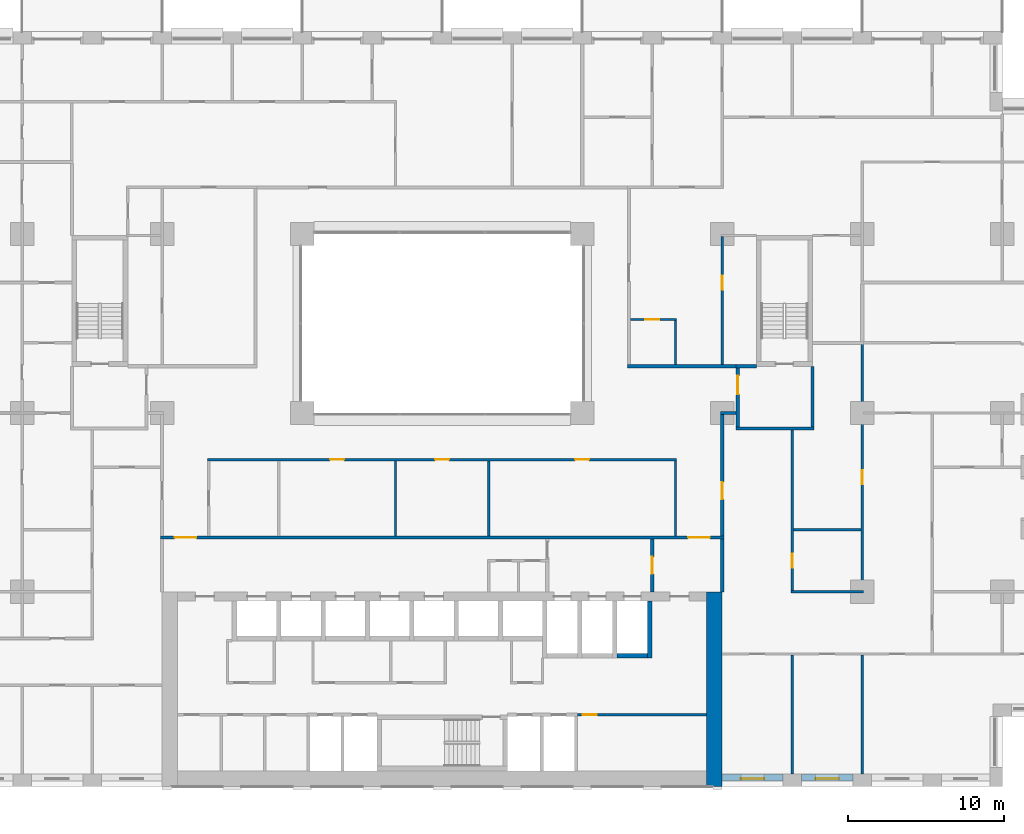
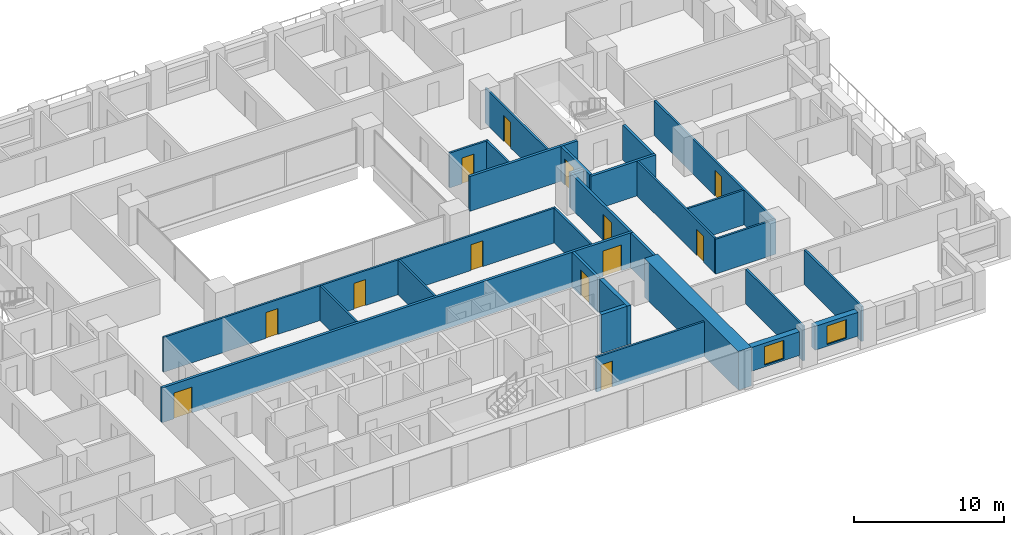
# One storey, part 12 of 20: 29 walls, 13 doors, 2 windows, 15 openings.
"""IFC4 building model written with IfcOpenShell, lengths in metres."""

from ifc_helpers import new_model, si_unit, direction, frame, frame_2d, origin, place, context, subcontext, project, spatial, rectangle, extrude, material, layer, layer_set, type_object, element, fill, save


model = new_model("IFC4")

# Units and contexts
model_context = context("Model", 3, precision=1e-05, world=origin(), true_north=direction((0.0, 1.0)))
body_context = subcontext(model_context, "Body", "Model", "MODEL_VIEW")
ifc_project = project(units=[si_unit("LENGTHUNIT", "METRE"), si_unit("AREAUNIT", "SQUARE_METRE"), si_unit("VOLUMEUNIT", "CUBIC_METRE"), si_unit("PLANEANGLEUNIT", "RADIAN"), si_unit("MASSUNIT", "GRAM", prefix="KILO")], contexts=[model_context])

# Site, building, storey
site_placement = place(None, origin())
site = spatial("IfcSite", under=ifc_project, at=site_placement, CompositionType="ELEMENT")
building_placement = place(site_placement, origin())
building = spatial("IfcBuilding", under=site, at=building_placement, Name="Brigalow Station Residences", CompositionType="ELEMENT")
storey_placement = place(building_placement, frame((0.0, 0.0, 54.14990234375)))
storey = spatial("IfcBuildingStorey", under=building, at=storey_placement, Name="L15", CompositionType="ELEMENT", Elevation=54.14990234375)

# Wall, opening, window
ifc_material_1 = material(Name="Clay brick masonry", Category="masonry")
ifc_layer_1 = layer(ifc_material_1, 0.449951171875)
ifc_layer_set_1 = layer_set([ifc_layer_1], Name="BRICK INFILL WALL 450")
wall_type_1 = type_object("IfcWallType", Name="BRICK INFILL WALL 450", PredefinedType="SOLIDWALL", material=ifc_layer_set_1)
wall_1_placement = place(storey_placement, frame((54.0, 0.574951171875, 0.900146484375), z_axis=(0.0, 0.0, 1.0), x_axis=(1.0, 0.0, 0.0)))
wall_1 = element("IfcWall", 1, at=wall_1_placement, inside=storey, type_object=wall_type_1, Name="L15/ewall/W-L15-5", PredefinedType="SOLIDWALL", context=body_context, shape_type="SweptSolid", body=[
    extrude(rectangle(XDim=3.89990234375, YDim=0.449951171875, at=frame_2d((1.949951171875, 0.0))), origin(), (0.0, 0.0, 1.0), 1.929931640625),
])
opening_1_placement = place(wall_1_placement, frame((1.199951171875, 0.0, 0.14990234375)))
opening_1 = element("IfcOpeningElement", 2, at=opening_1_placement, cuts=wall_1, Name="Opening WT-1", PredefinedType="OPENING", context=body_context, shape_type="SweptSolid", body=[
    extrude(rectangle(XDim=1.5, YDim=1.5, at=frame_2d((0.75, 0.75))), frame((0.0, 0.23486328125, 0.0), z_axis=(0.0, -1.0, 0.0), x_axis=(1.0, 0.0, 0.0)), (0.0, 0.0, 1.0), 0.469970703125),
])
ifc_material_2 = material(Name="Anodised aluminium frame with double glazing", Category="aluminium")
window_type = type_object("IfcWindowType", Name="WINDOW 1500x1500", PartitioningType="SINGLE_PANEL", PredefinedType="WINDOW", material=ifc_material_2)
window_1_placement = place(opening_1_placement, origin())
window_1 = element("IfcWindow", 3, at=window_1_placement, inside=storey, type_object=window_type, Name="L15/window/W-L15-5", OverallHeight=1.5, OverallWidth=1.5, PartitioningType="SINGLE_PANEL", PredefinedType="WINDOW", context=body_context, shape_type="SweptSolid", body=[
    extrude(rectangle(XDim=1.5, YDim=1.5, at=frame_2d((0.75, 0.75))), frame((0.0, -0.06494140625, 0.0), z_axis=(0.0, -1.0, 0.0), x_axis=(1.0, 0.0, 0.0)), (0.0, 0.0, 1.0), 0.06005859375),
])
fill(opening_1, window_1)

wall_2_placement = place(storey_placement, frame((59.10009765625, 0.574951171875, 0.900146484375), z_axis=(0.0, 0.0, 1.0), x_axis=(1.0, 0.0, 0.0)))
wall_2 = element("IfcWall", 4, at=wall_2_placement, inside=storey, type_object=wall_type_1, Name="L15/ewall/W-L15-6", PredefinedType="SOLIDWALL", context=body_context, shape_type="SweptSolid", body=[
    extrude(rectangle(XDim=3.2998046875, YDim=0.449951171875, at=frame_2d((1.64990234375, 0.0))), origin(), (0.0, 0.0, 1.0), 1.929931640625),
])
opening_2_placement = place(wall_2_placement, frame((0.89990234375, 0.0, 0.14990234375)))
opening_2 = element("IfcOpeningElement", 5, at=opening_2_placement, cuts=wall_2, Name="Opening WT-1", PredefinedType="OPENING", context=body_context, shape_type="SweptSolid", body=[
    extrude(rectangle(XDim=1.5, YDim=1.5, at=frame_2d((0.75, 0.75))), frame((0.0, 0.23486328125, 0.0), z_axis=(0.0, -1.0, 0.0), x_axis=(1.0, 0.0, 0.0)), (0.0, 0.0, 1.0), 0.469970703125),
])
window_2_placement = place(opening_2_placement, origin())
window_2 = element("IfcWindow", 6, at=window_2_placement, inside=storey, type_object=window_type, Name="L15/window/W-L15-6", OverallHeight=1.5, OverallWidth=1.5, PartitioningType="SINGLE_PANEL", PredefinedType="WINDOW", context=body_context, shape_type="SweptSolid", body=[
    extrude(rectangle(XDim=1.5, YDim=1.5, at=frame_2d((0.75, 0.75))), frame((0.0, -0.06494140625, 0.0), z_axis=(0.0, -1.0, 0.0), x_axis=(1.0, 0.0, 0.0)), (0.0, 0.0, 1.0), 0.06005859375),
])
fill(opening_2, window_2)

# Walls
ifc_material_3 = material(Name="Concrete C80", Category="concrete")
ifc_layer_2 = layer(ifc_material_3, 1.0)
ifc_layer_set_2 = layer_set([ifc_layer_2], Name="CORE SHEAR WALL 1000 C80")
wall_type_2 = type_object("IfcWallType", Name="CORE SHEAR WALL 1000 C80", PredefinedType="SHEAR", material=ifc_layer_set_2)
wall_3_placement = place(storey_placement, frame((53.5, 0.0, 0.0), z_axis=(0.0, 0.0, 1.0), x_axis=(0.0, 1.0, 0.0)))
element("IfcWall", 7, at=wall_3_placement, inside=storey, type_object=wall_type_2, Name="CORE WALL OUT-E L15", PredefinedType="SHEAR", context=body_context, shape_type="SweptSolid", body=[
    extrude(rectangle(XDim=12.5, YDim=1.0, at=frame_2d((6.25, 0.0))), origin(), (0.0, 0.0, 1.0), 3.150146484375),
])
ifc_material_4 = material(Name="Concrete C80", Category="concrete")
ifc_layer_3 = layer(ifc_material_4, 0.300048828125)
ifc_layer_set_3 = layer_set([ifc_layer_3], Name="CORE SHEAR WALL 300 C80")
wall_type_3 = type_object("IfcWallType", Name="CORE SHEAR WALL 300 C80", PredefinedType="SHEAR", material=ifc_layer_set_3)
wall_4_placement = place(storey_placement, frame((47.25, 8.39990234375, 0.0), z_axis=(0.0, 0.0, 1.0), x_axis=(1.0, 0.0, 0.0)))
element("IfcWall", 8, at=wall_4_placement, inside=storey, type_object=wall_type_3, Name="CORE WALL SH-SL1-S L15", PredefinedType="SHEAR", context=body_context, shape_type="SweptSolid", body=[
    extrude(rectangle(XDim=1.949951171875, YDim=0.300048828125, at=frame_2d((0.97509765625, 0.0))), origin(), (0.0, 0.0, 1.0), 3.150146484375),
])
wall_5_placement = place(storey_placement, frame((49.35009765625, 8.25, 0.0), z_axis=(0.0, 0.0, 1.0), x_axis=(0.0, 1.0, 0.0)))
element("IfcWall", 9, at=wall_5_placement, inside=storey, type_object=wall_type_3, Name="CORE WALL SH-SL1-E L15", PredefinedType="SHEAR", context=body_context, shape_type="SweptSolid", body=[
    extrude(rectangle(XDim=3.64990234375, YDim=0.300048828125, at=frame_2d((1.824951171875, 0.0))), origin(), (0.0, 0.0, 1.0), 3.150146484375),
])
ifc_material_5 = material(Name="Concrete blockwork", Category="masonry")
ifc_layer_4 = layer(ifc_material_5, 0.199951171875)
ifc_layer_set_4 = layer_set([ifc_layer_4], Name="FIRE RATED CORE PARTITION 200")
wall_type_4 = type_object("IfcWallType", Name="FIRE RATED CORE PARTITION 200", PredefinedType="PARTITIONING", material=ifc_layer_set_4)
wall_6_placement = place(storey_placement, frame((54.89990234375, 23.0, 0.0), z_axis=(0.0, 0.0, 1.0), x_axis=(1.0, 0.0, 0.0)))
element("IfcWall", 10, at=wall_6_placement, inside=storey, type_object=wall_type_4, Name="PW-5024", PredefinedType="PARTITIONING", context=body_context, shape_type="SweptSolid", body=[
    extrude(rectangle(XDim=5.0, YDim=0.199951171875, at=frame_2d((2.5, 0.0))), origin(), (0.0, 0.0, 1.0), 2.830078125),
])
wall_7_placement = place(storey_placement, frame((54.89990234375, 27.0, 0.0), z_axis=(0.0, 0.0, 1.0), x_axis=(1.0, 0.0, 0.0)))
element("IfcWall", 11, at=wall_7_placement, inside=storey, type_object=wall_type_4, Name="PW-5026", PredefinedType="PARTITIONING", context=body_context, shape_type="SweptSolid", body=[
    extrude(rectangle(XDim=1.300048828125, YDim=0.199951171875, at=frame_2d((0.64990234375, 0.0))), origin(), (0.0, 0.0, 1.0), 2.830078125),
])

# Wall, opening, door
wall_8_placement = place(storey_placement, frame((49.5, 12.5, 0.0), z_axis=(0.0, 0.0, 1.0), x_axis=(0.0, 1.0, 0.0)))
wall_8 = element("IfcWall", 12, at=wall_8_placement, inside=storey, type_object=wall_type_4, Name="PW-5015", PredefinedType="PARTITIONING", context=body_context, shape_type="SweptSolid", body=[
    extrude(rectangle(XDim=3.39990234375, YDim=0.199951171875, at=frame_2d((1.699951171875, 0.0))), origin(), (0.0, 0.0, 1.0), 2.830078125),
])
opening_3_placement = place(wall_8_placement, frame((1.14990234375, 0.0, 0.0)))
opening_3 = element("IfcOpeningElement", 13, at=opening_3_placement, cuts=wall_8, Name="Opening D-5014", PredefinedType="OPENING", context=body_context, shape_type="SweptSolid", body=[
    extrude(rectangle(XDim=1.10009765625, YDim=2.10009765625, at=frame_2d((0.550048828125, 1.050048828125))), frame((0.0, 0.10986328125, 0.0), z_axis=(0.0, -1.0, 0.0), x_axis=(1.0, 0.0, 0.0)), (0.0, 0.0, 1.0), 0.219970703125),
])
ifc_material_6 = material(Name="Steel fire door leaf in steel frame", Category="steel")
door_type_1 = type_object("IfcDoorType", Name="LOBBY DOOR 1100 x 2100 FD60S", OperationType="SINGLE_SWING_LEFT", PredefinedType="DOOR", material=ifc_material_6)
door_1_placement = place(opening_3_placement, origin())
door_1 = element("IfcDoor", 14, at=door_1_placement, inside=storey, type_object=door_type_1, Name="D-5014", OperationType="SINGLE_SWING_RIGHT", OverallHeight=2.10009765625, OverallWidth=1.10009765625, PredefinedType="DOOR", context=body_context, shape_type="SweptSolid", body=[
    extrude(rectangle(XDim=1.10009765625, YDim=2.10009765625, at=frame_2d((0.550048828125, 1.050048828125))), frame((0.0, 0.02490234375, 0.0), z_axis=(0.0, -1.0, 0.0), x_axis=(1.0, 0.0, 0.0)), (0.0, 0.0, 1.0), 0.050048828125),
])
fill(opening_3, door_1)

# Wall
wall_9_placement = place(storey_placement, frame((54.0, 12.5, 0.0), z_axis=(0.0, 0.0, 1.0), x_axis=(0.0, 1.0, 0.0)))
element("IfcWall", 15, at=wall_9_placement, inside=storey, type_object=wall_type_4, Name="PW-5016", PredefinedType="PARTITIONING", context=body_context, shape_type="SweptSolid", body=[
    extrude(rectangle(XDim=3.39990234375, YDim=0.199951171875, at=frame_2d((1.699951171875, 0.0))), origin(), (0.0, 0.0, 1.0), 2.830078125),
])

# Wall, opening, door
wall_10_placement = place(storey_placement, frame((55.0, 23.10009765625, 0.0), z_axis=(0.0, 0.0, 1.0), x_axis=(0.0, 1.0, 0.0)))
wall_10 = element("IfcWall", 16, at=wall_10_placement, inside=storey, type_object=wall_type_4, Name="PW-5036", PredefinedType="PARTITIONING", context=body_context, shape_type="SweptSolid", body=[
    extrude(rectangle(XDim=3.7998046875, YDim=0.199951171875, at=frame_2d((1.89990234375, 0.0))), origin(), (0.0, 0.0, 1.0), 2.830078125),
])
opening_4_placement = place(wall_10_placement, frame((2.10009765625, 0.0, 0.0)))
opening_4 = element("IfcOpeningElement", 17, at=opening_4_placement, cuts=wall_10, Name="Opening D-5019", PredefinedType="OPENING", context=body_context, shape_type="SweptSolid", body=[
    extrude(rectangle(XDim=1.199951171875, YDim=2.10009765625, at=frame_2d((0.60009765625, 1.050048828125))), frame((0.0, 0.10986328125, 0.0), z_axis=(0.0, -1.0, 0.0), x_axis=(1.0, 0.0, 0.0)), (0.0, 0.0, 1.0), 0.219970703125),
])
ifc_material_7 = material(Name="Steel fire door leaf in steel frame", Category="steel")
door_type_2 = type_object("IfcDoorType", Name="STAIR LOBBY DOOR 1200 x 2100 FD60S", OperationType="SINGLE_SWING_LEFT", PredefinedType="DOOR", material=ifc_material_7)
door_2_placement = place(opening_4_placement, frame((1.199951171875, 0.0, 0.0), z_axis=(0.0, 0.0, 1.0), x_axis=(-1.0, 0.0, 0.0)))
door_2 = element("IfcDoor", 18, at=door_2_placement, inside=storey, type_object=door_type_2, Name="D-5019", OperationType="SINGLE_SWING_LEFT", OverallHeight=2.10009765625, OverallWidth=1.199951171875, PredefinedType="DOOR", context=body_context, shape_type="SweptSolid", body=[
    extrude(rectangle(XDim=1.199951171875, YDim=2.10009765625, at=frame_2d((0.60009765625, 1.050048828125))), frame((0.0, 0.02490234375, 0.0), z_axis=(0.0, -1.0, 0.0), x_axis=(1.0, 0.0, 0.0)), (0.0, 0.0, 1.0), 0.050048828125),
])
fill(opening_4, door_2)

# Wall
wall_11_placement = place(storey_placement, frame((59.800048828125, 23.10009765625, 0.0), z_axis=(0.0, 0.0, 1.0), x_axis=(0.0, 1.0, 0.0)))
element("IfcWall", 19, at=wall_11_placement, inside=storey, type_object=wall_type_4, Name="PW-5037", PredefinedType="PARTITIONING", context=body_context, shape_type="SweptSolid", body=[
    extrude(rectangle(XDim=3.89990234375, YDim=0.199951171875, at=frame_2d((1.949951171875, 0.0))), origin(), (0.0, 0.0, 1.0), 2.830078125),
])

# Wall, openings, doors
ifc_material_8 = material(Name="Plasterboard on steel stud partition", Category="steel")
ifc_layer_5 = layer(ifc_material_8, 0.14990234375)
ifc_layer_set_5 = layer_set([ifc_layer_5], Name="FLAT PARTITION 150")
wall_type_5 = type_object("IfcWallType", Name="FLAT PARTITION 150", PredefinedType="PARTITIONING", material=ifc_layer_set_5)
wall_12_placement = place(storey_placement, frame((20.925048828125, 21.0, 0.0), z_axis=(0.0, 0.0, 1.0), x_axis=(1.0, 0.0, 0.0)))
wall_12 = element("IfcWall", 20, at=wall_12_placement, inside=storey, type_object=wall_type_5, Name="PW-1E01", PredefinedType="PARTITIONING", context=body_context, shape_type="SweptSolid", body=[
    extrude(rectangle(XDim=30.14990234375, YDim=0.14990234375, at=frame_2d((15.074951171875, 0.0))), origin(), (0.0, 0.0, 1.0), 2.830078125),
])
opening_5_placement = place(wall_12_placement, frame((7.875, 0.0, 0.0)))
opening_5 = element("IfcOpeningElement", 21, at=opening_5_placement, cuts=wall_12, Name="Opening D-1E65", PredefinedType="OPENING", context=body_context, shape_type="SweptSolid", body=[
    extrude(rectangle(XDim=0.89990234375, YDim=2.10009765625, at=frame_2d((0.449951171875, 1.050048828125))), frame((0.0, 0.0849609375, 0.0), z_axis=(0.0, -1.0, 0.0), x_axis=(1.0, 0.0, 0.0)), (0.0, 0.0, 1.0), 0.169921875),
])
opening_6_placement = place(wall_12_placement, frame((14.625, 0.0, 0.0)))
opening_6 = element("IfcOpeningElement", 22, at=opening_6_placement, cuts=wall_12, Name="Opening D-1E66", PredefinedType="OPENING", context=body_context, shape_type="SweptSolid", body=[
    extrude(rectangle(XDim=0.89990234375, YDim=2.10009765625, at=frame_2d((0.449951171875, 1.050048828125))), frame((0.0, 0.0849609375, 0.0), z_axis=(0.0, -1.0, 0.0), x_axis=(1.0, 0.0, 0.0)), (0.0, 0.0, 1.0), 0.169921875),
])
opening_7_placement = place(wall_12_placement, frame((23.625, 0.0, 0.0)))
opening_7 = element("IfcOpeningElement", 23, at=opening_7_placement, cuts=wall_12, Name="Opening D-1E67", PredefinedType="OPENING", context=body_context, shape_type="SweptSolid", body=[
    extrude(rectangle(XDim=0.89990234375, YDim=2.10009765625, at=frame_2d((0.449951171875, 1.050048828125))), frame((0.0, 0.0849609375, 0.0), z_axis=(0.0, -1.0, 0.0), x_axis=(1.0, 0.0, 0.0)), (0.0, 0.0, 1.0), 0.169921875),
])
ifc_material_9 = material(Name="Solid-core timber door leaf", Category="wood")
door_type_3 = type_object("IfcDoorType", Name="INTERNAL DOOR 900 x 2100", OperationType="SINGLE_SWING_LEFT", PredefinedType="DOOR", material=ifc_material_9)
door_3_placement = place(opening_5_placement, frame((0.89990234375, 0.0, 0.0), z_axis=(0.0, 0.0, 1.0), x_axis=(-1.0, 0.0, 0.0)))
door_3 = element("IfcDoor", 24, at=door_3_placement, inside=storey, type_object=door_type_3, Name="D-1E65", OperationType="SINGLE_SWING_RIGHT", OverallHeight=2.10009765625, OverallWidth=0.89990234375, PredefinedType="DOOR", context=body_context, shape_type="SweptSolid", body=[
    extrude(rectangle(XDim=0.89990234375, YDim=2.10009765625, at=frame_2d((0.449951171875, 1.050048828125))), frame((0.0, 0.02490234375, 0.0), z_axis=(0.0, -1.0, 0.0), x_axis=(1.0, 0.0, 0.0)), (0.0, 0.0, 1.0), 0.050048828125),
])
fill(opening_5, door_3)
door_4_placement = place(opening_6_placement, frame((0.89990234375, 0.0, 0.0), z_axis=(0.0, 0.0, 1.0), x_axis=(-1.0, 0.0, 0.0)))
door_4 = element("IfcDoor", 25, at=door_4_placement, inside=storey, type_object=door_type_3, Name="D-1E66", OperationType="SINGLE_SWING_LEFT", OverallHeight=2.10009765625, OverallWidth=0.89990234375, PredefinedType="DOOR", context=body_context, shape_type="SweptSolid", body=[
    extrude(rectangle(XDim=0.89990234375, YDim=2.10009765625, at=frame_2d((0.449951171875, 1.050048828125))), frame((0.0, 0.02490234375, 0.0), z_axis=(0.0, -1.0, 0.0), x_axis=(1.0, 0.0, 0.0)), (0.0, 0.0, 1.0), 0.050048828125),
])
fill(opening_6, door_4)
door_5_placement = place(opening_7_placement, frame((0.89990234375, 0.0, 0.0), z_axis=(0.0, 0.0, 1.0), x_axis=(-1.0, 0.0, 0.0)))
door_5 = element("IfcDoor", 26, at=door_5_placement, inside=storey, type_object=door_type_3, Name="D-1E67", OperationType="SINGLE_SWING_LEFT", OverallHeight=2.10009765625, OverallWidth=0.89990234375, PredefinedType="DOOR", context=body_context, shape_type="SweptSolid", body=[
    extrude(rectangle(XDim=0.89990234375, YDim=2.10009765625, at=frame_2d((0.449951171875, 1.050048828125))), frame((0.0, 0.02490234375, 0.0), z_axis=(0.0, -1.0, 0.0), x_axis=(1.0, 0.0, 0.0)), (0.0, 0.0, 1.0), 0.050048828125),
])
fill(opening_7, door_5)

# Walls
wall_13_placement = place(storey_placement, frame((58.425048828125, 12.5, 0.0), z_axis=(0.0, 0.0, 1.0), x_axis=(1.0, 0.0, 0.0)))
element("IfcWall", 27, at=wall_13_placement, inside=storey, type_object=wall_type_5, Name="PW-1E13", PredefinedType="PARTITIONING", context=body_context, shape_type="SweptSolid", body=[
    extrude(rectangle(XDim=4.64990234375, YDim=0.14990234375, at=frame_2d((2.324951171875, 0.0))), origin(), (0.0, 0.0, 1.0), 2.830078125),
])
wall_14_placement = place(storey_placement, frame((58.574951171875, 16.5, 0.0), z_axis=(0.0, 0.0, 1.0), x_axis=(1.0, 0.0, 0.0)))
element("IfcWall", 28, at=wall_14_placement, inside=storey, type_object=wall_type_5, Name="PW-1E19", PredefinedType="PARTITIONING", context=body_context, shape_type="SweptSolid", body=[
    extrude(rectangle(XDim=4.35009765625, YDim=0.14990234375, at=frame_2d((2.175048828125, 0.0))), origin(), (0.0, 0.0, 1.0), 2.830078125),
])

# Wall, opening, door
wall_15_placement = place(storey_placement, frame((48.10009765625, 30.0, 0.0), z_axis=(0.0, 0.0, 1.0), x_axis=(1.0, 0.0, 0.0)))
wall_15 = element("IfcWall", 29, at=wall_15_placement, inside=storey, type_object=wall_type_5, Name="PW-1E32", PredefinedType="PARTITIONING", context=body_context, shape_type="SweptSolid", body=[
    extrude(rectangle(XDim=2.974853515625, YDim=0.14990234375, at=frame_2d((1.4873046875, 0.0))), origin(), (0.0, 0.0, 1.0), 2.830078125),
])
opening_8_placement = place(wall_15_placement, frame((0.949951171875, 0.0, 0.0)))
opening_8 = element("IfcOpeningElement", 30, at=opening_8_placement, cuts=wall_15, Name="Opening D-1E43", PredefinedType="OPENING", context=body_context, shape_type="SweptSolid", body=[
    extrude(rectangle(XDim=0.89990234375, YDim=2.10009765625, at=frame_2d((0.449951171875, 1.050048828125))), frame((0.0, 0.0849609375, 0.0), z_axis=(0.0, -1.0, 0.0), x_axis=(1.0, 0.0, 0.0)), (0.0, 0.0, 1.0), 0.169921875),
])
door_6_placement = place(opening_8_placement, frame((0.89990234375, 0.0, 0.0), z_axis=(0.0, 0.0, 1.0), x_axis=(-1.0, 0.0, 0.0)))
door_6 = element("IfcDoor", 31, at=door_6_placement, inside=storey, type_object=door_type_3, Name="D-1E43", OperationType="SINGLE_SWING_RIGHT", OverallHeight=2.10009765625, OverallWidth=0.89990234375, PredefinedType="DOOR", context=body_context, shape_type="SweptSolid", body=[
    extrude(rectangle(XDim=0.89990234375, YDim=2.10009765625, at=frame_2d((0.449951171875, 1.050048828125))), frame((0.0, 0.02490234375, 0.0), z_axis=(0.0, -1.0, 0.0), x_axis=(1.0, 0.0, 0.0)), (0.0, 0.0, 1.0), 0.050048828125),
])
fill(opening_8, door_6)

wall_16_placement = place(storey_placement, frame((54.0, 27.10009765625, 0.0), z_axis=(0.0, 0.0, 1.0), x_axis=(0.0, 1.0, 0.0)))
wall_16 = element("IfcWall", 32, at=wall_16_placement, inside=storey, type_object=wall_type_5, Name="PW-1E40", PredefinedType="PARTITIONING", context=body_context, shape_type="SweptSolid", body=[
    extrude(rectangle(XDim=8.224853515625, YDim=0.14990234375, at=frame_2d((4.1123046875, 0.0))), origin(), (0.0, 0.0, 1.0), 2.830078125),
])
opening_9_placement = place(wall_16_placement, frame((4.824951171875, 0.0, 0.0)))
opening_9 = element("IfcOpeningElement", 33, at=opening_9_placement, cuts=wall_16, Name="Opening D-1E46", PredefinedType="OPENING", context=body_context, shape_type="SweptSolid", body=[
    extrude(rectangle(XDim=0.89990234375, YDim=2.10009765625, at=frame_2d((0.449951171875, 1.050048828125))), frame((0.0, 0.0849609375, 0.0), z_axis=(0.0, -1.0, 0.0), x_axis=(1.0, 0.0, 0.0)), (0.0, 0.0, 1.0), 0.169921875),
])
door_7_placement = place(opening_9_placement, frame((0.89990234375, 0.0, 0.0), z_axis=(0.0, 0.0, 1.0), x_axis=(-1.0, 0.0, 0.0)))
door_7 = element("IfcDoor", 34, at=door_7_placement, inside=storey, type_object=door_type_3, Name="D-1E46", OperationType="SINGLE_SWING_LEFT", OverallHeight=2.10009765625, OverallWidth=0.89990234375, PredefinedType="DOOR", context=body_context, shape_type="SweptSolid", body=[
    extrude(rectangle(XDim=0.89990234375, YDim=2.10009765625, at=frame_2d((0.449951171875, 1.050048828125))), frame((0.0, 0.02490234375, 0.0), z_axis=(0.0, -1.0, 0.0), x_axis=(1.0, 0.0, 0.0)), (0.0, 0.0, 1.0), 0.050048828125),
])
fill(opening_9, door_7)

# Walls
wall_17_placement = place(storey_placement, frame((51.0, 16.10009765625, 0.0), z_axis=(0.0, 0.0, 1.0), x_axis=(0.0, 1.0, 0.0)))
element("IfcWall", 35, at=wall_17_placement, inside=storey, type_object=wall_type_5, Name="PW-1E44", PredefinedType="PARTITIONING", context=body_context, shape_type="SweptSolid", body=[
    extrude(rectangle(XDim=4.824951171875, YDim=0.14990234375, at=frame_2d((2.41259765625, 0.0))), origin(), (0.0, 0.0, 1.0), 2.830078125),
])
wall_18_placement = place(storey_placement, frame((51.0, 27.10009765625, 0.0), z_axis=(0.0, 0.0, 1.0), x_axis=(0.0, 1.0, 0.0)))
element("IfcWall", 36, at=wall_18_placement, inside=storey, type_object=wall_type_5, Name="PW-1E45", PredefinedType="PARTITIONING", context=body_context, shape_type="SweptSolid", body=[
    extrude(rectangle(XDim=2.824951171875, YDim=0.14990234375, at=frame_2d((1.41259765625, 0.0))), origin(), (0.0, 0.0, 1.0), 2.830078125),
])
wall_19_placement = place(storey_placement, frame((33.0, 16.10009765625, 0.0), z_axis=(0.0, 0.0, 1.0), x_axis=(0.0, 1.0, 0.0)))
element("IfcWall", 37, at=wall_19_placement, inside=storey, type_object=wall_type_5, Name="PW-1E60", PredefinedType="PARTITIONING", context=body_context, shape_type="SweptSolid", body=[
    extrude(rectangle(XDim=4.824951171875, YDim=0.14990234375, at=frame_2d((2.41259765625, 0.0))), origin(), (0.0, 0.0, 1.0), 2.830078125),
])
wall_20_placement = place(storey_placement, frame((63.0, 0.800048828125, 0.0), z_axis=(0.0, 0.0, 1.0), x_axis=(0.0, 1.0, 0.0)))
element("IfcWall", 38, at=wall_20_placement, inside=storey, type_object=wall_type_5, Name="PW-1E68", PredefinedType="PARTITIONING", context=body_context, shape_type="SweptSolid", body=[
    extrude(rectangle(XDim=7.625, YDim=0.14990234375, at=frame_2d((3.8125, 0.0))), origin(), (0.0, 0.0, 1.0), 2.830078125),
])

# Wall, opening, door
wall_21_placement = place(storey_placement, frame((63.0, 12.574951171875, 0.0), z_axis=(0.0, 0.0, 1.0), x_axis=(0.0, 1.0, 0.0)))
wall_21 = element("IfcWall", 39, at=wall_21_placement, inside=storey, type_object=wall_type_5, Name="PW-1E69", PredefinedType="PARTITIONING", context=body_context, shape_type="SweptSolid", body=[
    extrude(rectangle(XDim=15.85009765625, YDim=0.14990234375, at=frame_2d((7.925048828125, 0.0))), origin(), (0.0, 0.0, 1.0), 2.830078125),
])
opening_10_placement = place(wall_21_placement, frame((6.85009765625, 0.0, 0.0)))
opening_10 = element("IfcOpeningElement", 40, at=opening_10_placement, cuts=wall_21, Name="Opening D-1E61", PredefinedType="OPENING", context=body_context, shape_type="SweptSolid", body=[
    extrude(rectangle(XDim=0.89990234375, YDim=2.10009765625, at=frame_2d((0.449951171875, 1.050048828125))), frame((0.0, 0.0849609375, 0.0), z_axis=(0.0, -1.0, 0.0), x_axis=(1.0, 0.0, 0.0)), (0.0, 0.0, 1.0), 0.169921875),
])
door_8_placement = place(opening_10_placement, origin())
door_8 = element("IfcDoor", 41, at=door_8_placement, inside=storey, type_object=door_type_3, Name="D-1E61", OperationType="SINGLE_SWING_LEFT", OverallHeight=2.10009765625, OverallWidth=0.89990234375, PredefinedType="DOOR", context=body_context, shape_type="SweptSolid", body=[
    extrude(rectangle(XDim=0.89990234375, YDim=2.10009765625, at=frame_2d((0.449951171875, 1.050048828125))), frame((0.0, 0.02490234375, 0.0), z_axis=(0.0, -1.0, 0.0), x_axis=(1.0, 0.0, 0.0)), (0.0, 0.0, 1.0), 0.050048828125),
])
fill(opening_10, door_8)

# Wall
wall_22_placement = place(storey_placement, frame((58.5, 0.800048828125, 0.0), z_axis=(0.0, 0.0, 1.0), x_axis=(0.0, 1.0, 0.0)))
element("IfcWall", 42, at=wall_22_placement, inside=storey, type_object=wall_type_5, Name="PW-1E77", PredefinedType="PARTITIONING", context=body_context, shape_type="SweptSolid", body=[
    extrude(rectangle(XDim=7.625, YDim=0.14990234375, at=frame_2d((3.8125, 0.0))), origin(), (0.0, 0.0, 1.0), 2.830078125),
])

# Wall, opening, door
wall_23_placement = place(storey_placement, frame((58.5, 12.574951171875, 0.0), z_axis=(0.0, 0.0, 1.0), x_axis=(0.0, 1.0, 0.0)))
wall_23 = element("IfcWall", 43, at=wall_23_placement, inside=storey, type_object=wall_type_5, Name="PW-1E78", PredefinedType="PARTITIONING", context=body_context, shape_type="SweptSolid", body=[
    extrude(rectangle(XDim=10.324951171875, YDim=0.14990234375, at=frame_2d((5.16259765625, 0.0))), origin(), (0.0, 0.0, 1.0), 2.830078125),
])
opening_11_placement = place(wall_23_placement, frame((1.47509765625, 0.0, 0.0)))
opening_11 = element("IfcOpeningElement", 44, at=opening_11_placement, cuts=wall_23, Name="Opening D-1E51", PredefinedType="OPENING", context=body_context, shape_type="SweptSolid", body=[
    extrude(rectangle(XDim=0.89990234375, YDim=2.10009765625, at=frame_2d((0.449951171875, 1.050048828125))), frame((0.0, 0.0849609375, 0.0), z_axis=(0.0, -1.0, 0.0), x_axis=(1.0, 0.0, 0.0)), (0.0, 0.0, 1.0), 0.169921875),
])
door_9_placement = place(opening_11_placement, frame((0.89990234375, 0.0, 0.0), z_axis=(0.0, 0.0, 1.0), x_axis=(-1.0, 0.0, 0.0)))
door_9 = element("IfcDoor", 45, at=door_9_placement, inside=storey, type_object=door_type_3, Name="D-1E51", OperationType="SINGLE_SWING_LEFT", OverallHeight=2.10009765625, OverallWidth=0.89990234375, PredefinedType="DOOR", context=body_context, shape_type="SweptSolid", body=[
    extrude(rectangle(XDim=0.89990234375, YDim=2.10009765625, at=frame_2d((0.449951171875, 1.050048828125))), frame((0.0, 0.02490234375, 0.0), z_axis=(0.0, -1.0, 0.0), x_axis=(1.0, 0.0, 0.0)), (0.0, 0.0, 1.0), 0.050048828125),
])
fill(opening_11, door_9)

# Walls
wall_24_placement = place(storey_placement, frame((39.0, 16.10009765625, 0.0), z_axis=(0.0, 0.0, 1.0), x_axis=(0.0, 1.0, 0.0)))
element("IfcWall", 46, at=wall_24_placement, inside=storey, type_object=wall_type_5, Name="PW-1E83", PredefinedType="PARTITIONING", context=body_context, shape_type="SweptSolid", body=[
    extrude(rectangle(XDim=4.824951171875, YDim=0.14990234375, at=frame_2d((2.41259765625, 0.0))), origin(), (0.0, 0.0, 1.0), 2.830078125),
])
ifc_material_10 = material(Name="Plasterboard on steel stud partition", Category="steel")
ifc_layer_6 = layer(ifc_material_10, 0.199951171875)
ifc_layer_set_6 = layer_set([ifc_layer_6], Name="PARTY AND CORRIDOR WALL 200")
wall_type_6 = type_object("IfcWallType", Name="PARTY AND CORRIDOR WALL 200", PredefinedType="PARTITIONING", material=ifc_layer_set_6)
wall_25_placement = place(storey_placement, frame((53.89990234375, 24.0, 0.0), z_axis=(0.0, 0.0, 1.0), x_axis=(1.0, 0.0, 0.0)))
element("IfcWall", 47, at=wall_25_placement, inside=storey, type_object=wall_type_6, Name="PW-1E05", PredefinedType="PARTITIONING", context=body_context, shape_type="SweptSolid", body=[
    extrude(rectangle(XDim=1.0, YDim=0.199951171875, at=frame_2d((0.5, 0.0))), origin(), (0.0, 0.0, 1.0), 2.830078125),
])
wall_26_placement = place(storey_placement, frame((47.89990234375, 27.0, 0.0), z_axis=(0.0, 0.0, 1.0), x_axis=(1.0, 0.0, 0.0)))
element("IfcWall", 48, at=wall_26_placement, inside=storey, type_object=wall_type_6, Name="PW-1E07", PredefinedType="PARTITIONING", context=body_context, shape_type="SweptSolid", body=[
    extrude(rectangle(XDim=7.0, YDim=0.199951171875, at=frame_2d((3.5, 0.0))), origin(), (0.0, 0.0, 1.0), 2.830078125),
])

# Wall, openings, doors
wall_27_placement = place(storey_placement, frame((17.89990234375, 16.0, 0.0), z_axis=(0.0, 0.0, 1.0), x_axis=(1.0, 0.0, 0.0)))
wall_27 = element("IfcWall", 49, at=wall_27_placement, inside=storey, type_object=wall_type_6, Name="PW-1E36", PredefinedType="PARTITIONING", context=body_context, shape_type="SweptSolid", body=[
    extrude(rectangle(XDim=36.2001953125, YDim=0.199951171875, at=frame_2d((18.10009765625, 0.0))), origin(), (0.0, 0.0, 1.0), 2.830078125),
])
opening_12_placement = place(wall_27_placement, frame((0.89990234375, 0.0, 0.0)))
opening_12 = element("IfcOpeningElement", 50, at=opening_12_placement, cuts=wall_27, Name="Opening D-1E01", PredefinedType="OPENING", context=body_context, shape_type="SweptSolid", body=[
    extrude(rectangle(XDim=1.39990234375, YDim=2.10009765625, at=frame_2d((0.699951171875, 1.050048828125))), frame((0.0, 0.10986328125, 0.0), z_axis=(0.0, -1.0, 0.0), x_axis=(1.0, 0.0, 0.0)), (0.0, 0.0, 1.0), 0.219970703125),
])
opening_13_placement = place(wall_27_placement, frame((33.89990234375, 0.0, 0.0)))
opening_13 = element("IfcOpeningElement", 51, at=opening_13_placement, cuts=wall_27, Name="Opening D-1E02", PredefinedType="OPENING", context=body_context, shape_type="SweptSolid", body=[
    extrude(rectangle(XDim=1.39990234375, YDim=2.10009765625, at=frame_2d((0.699951171875, 1.050048828125))), frame((0.0, 0.10986328125, 0.0), z_axis=(0.0, -1.0, 0.0), x_axis=(1.0, 0.0, 0.0)), (0.0, 0.0, 1.0), 0.219970703125),
])
ifc_material_11 = material(Name="Solid-core timber door leaf", Category="wood")
door_type_4 = type_object("IfcDoorType", Name="CORRIDOR FIRE DOOR 1400 x 2100 FRL -/60/30", OperationType="DOUBLE_DOOR_SINGLE_SWING", PredefinedType="DOOR", material=ifc_material_11)
door_10_placement = place(opening_12_placement, frame((1.39990234375, 0.0, 0.0), z_axis=(0.0, 0.0, 1.0), x_axis=(-1.0, 0.0, 0.0)))
door_10 = element("IfcDoor", 52, at=door_10_placement, inside=storey, type_object=door_type_4, Name="D-1E01", OperationType="DOUBLE_DOOR_SINGLE_SWING", OverallHeight=2.10009765625, OverallWidth=1.39990234375, PredefinedType="DOOR", context=body_context, shape_type="SweptSolid", body=[
    extrude(rectangle(XDim=1.39990234375, YDim=2.10009765625, at=frame_2d((0.699951171875, 1.050048828125))), frame((0.0, 0.02490234375, 0.0), z_axis=(0.0, -1.0, 0.0), x_axis=(1.0, 0.0, 0.0)), (0.0, 0.0, 1.0), 0.050048828125),
])
fill(opening_12, door_10)
door_11_placement = place(opening_13_placement, frame((1.39990234375, 0.0, 0.0), z_axis=(0.0, 0.0, 1.0), x_axis=(-1.0, 0.0, 0.0)))
door_11 = element("IfcDoor", 53, at=door_11_placement, inside=storey, type_object=door_type_4, Name="D-1E02", OperationType="DOUBLE_DOOR_SINGLE_SWING", OverallHeight=2.10009765625, OverallWidth=1.39990234375, PredefinedType="DOOR", context=body_context, shape_type="SweptSolid", body=[
    extrude(rectangle(XDim=1.39990234375, YDim=2.10009765625, at=frame_2d((0.699951171875, 1.050048828125))), frame((0.0, 0.02490234375, 0.0), z_axis=(0.0, -1.0, 0.0), x_axis=(1.0, 0.0, 0.0)), (0.0, 0.0, 1.0), 0.050048828125),
])
fill(opening_13, door_11)

# Wall, opening, door
wall_28_placement = place(storey_placement, frame((54.0, 16.10009765625, 0.0), z_axis=(0.0, 0.0, 1.0), x_axis=(0.0, 1.0, 0.0)))
wall_28 = element("IfcWall", 54, at=wall_28_placement, inside=storey, type_object=wall_type_6, Name="PW-1E42", PredefinedType="PARTITIONING", context=body_context, shape_type="SweptSolid", body=[
    extrude(rectangle(XDim=7.7998046875, YDim=0.199951171875, at=frame_2d((3.89990234375, 0.0))), origin(), (0.0, 0.0, 1.0), 2.830078125),
])
opening_14_placement = place(wall_28_placement, frame((2.35009765625, 0.0, 0.0)))
opening_14 = element("IfcOpeningElement", 55, at=opening_14_placement, cuts=wall_28, Name="Opening D-1E63", PredefinedType="OPENING", context=body_context, shape_type="SweptSolid", body=[
    extrude(rectangle(XDim=1.10009765625, YDim=2.10009765625, at=frame_2d((0.550048828125, 1.050048828125))), frame((0.0, 0.10986328125, 0.0), z_axis=(0.0, -1.0, 0.0), x_axis=(1.0, 0.0, 0.0)), (0.0, 0.0, 1.0), 0.219970703125),
])
ifc_material_12 = material(Name="Solid-core timber door leaf", Category="wood")
door_type_5 = type_object("IfcDoorType", Name="FLAT ENTRANCE DOOR 1100 x 2100 FRL -/60/30", OperationType="SINGLE_SWING_LEFT", PredefinedType="DOOR", material=ifc_material_12)
door_12_placement = place(opening_14_placement, frame((1.10009765625, 0.0, 0.0), z_axis=(0.0, 0.0, 1.0), x_axis=(-1.0, 0.0, 0.0)))
door_12 = element("IfcDoor", 56, at=door_12_placement, inside=storey, type_object=door_type_5, Name="D-1E63", OperationType="SINGLE_SWING_LEFT", OverallHeight=2.10009765625, OverallWidth=1.10009765625, PredefinedType="DOOR", context=body_context, shape_type="SweptSolid", body=[
    extrude(rectangle(XDim=1.10009765625, YDim=2.10009765625, at=frame_2d((0.550048828125, 1.050048828125))), frame((0.0, 0.02490234375, 0.0), z_axis=(0.0, -1.0, 0.0), x_axis=(1.0, 0.0, 0.0)), (0.0, 0.0, 1.0), 0.050048828125),
])
fill(opening_14, door_12)

ifc_material_13 = material(Name="Plasterboard on steel studs", Category="steel")
ifc_layer_7 = layer(ifc_material_13, 0.14990234375)
ifc_layer_set_7 = layer_set([ifc_layer_7], Name="SERVICE ROOM PARTITION 150")
wall_type_7 = type_object("IfcWallType", Name="SERVICE ROOM PARTITION 150", PredefinedType="PARTITIONING", material=ifc_layer_set_7)
wall_29_placement = place(storey_placement, frame((44.699951171875, 4.60009765625, 0.0), z_axis=(0.0, 0.0, 1.0), x_axis=(1.0, 0.0, 0.0)))
wall_29 = element("IfcWall", 57, at=wall_29_placement, inside=storey, type_object=wall_type_7, Name="PW-5020", PredefinedType="PARTITIONING", context=body_context, shape_type="SweptSolid", body=[
    extrude(rectangle(XDim=8.300048828125, YDim=0.14990234375, at=frame_2d((4.14990234375, 0.0))), origin(), (0.0, 0.0, 1.0), 2.830078125),
])
opening_15_placement = place(wall_29_placement, frame((0.35009765625, 0.0, 0.0)))
opening_15 = element("IfcOpeningElement", 58, at=opening_15_placement, cuts=wall_29, Name="Opening D-5026", PredefinedType="OPENING", context=body_context, shape_type="SweptSolid", body=[
    extrude(rectangle(XDim=0.89990234375, YDim=2.10009765625, at=frame_2d((0.449951171875, 1.050048828125))), frame((0.0, 0.0849609375, 0.0), z_axis=(0.0, -1.0, 0.0), x_axis=(1.0, 0.0, 0.0)), (0.0, 0.0, 1.0), 0.169921875),
])
ifc_material_14 = material(Name="Steel door leaf in steel frame", Category="steel")
door_type_6 = type_object("IfcDoorType", Name="SERVICE ROOM DOOR 900 x 2100 FD60", OperationType="SINGLE_SWING_LEFT", PredefinedType="DOOR", material=ifc_material_14)
door_13_placement = place(opening_15_placement, frame((0.89990234375, 0.0, 0.0), z_axis=(0.0, 0.0, 1.0), x_axis=(-1.0, 0.0, 0.0)))
door_13 = element("IfcDoor", 59, at=door_13_placement, inside=storey, type_object=door_type_6, Name="D-5026", OperationType="SINGLE_SWING_RIGHT", OverallHeight=2.10009765625, OverallWidth=0.89990234375, PredefinedType="DOOR", context=body_context, shape_type="SweptSolid", body=[
    extrude(rectangle(XDim=0.89990234375, YDim=2.10009765625, at=frame_2d((0.449951171875, 1.050048828125))), frame((0.0, 0.02490234375, 0.0), z_axis=(0.0, -1.0, 0.0), x_axis=(1.0, 0.0, 0.0)), (0.0, 0.0, 1.0), 0.050048828125),
])
fill(opening_15, door_13)

save(model, "model.ifc")
